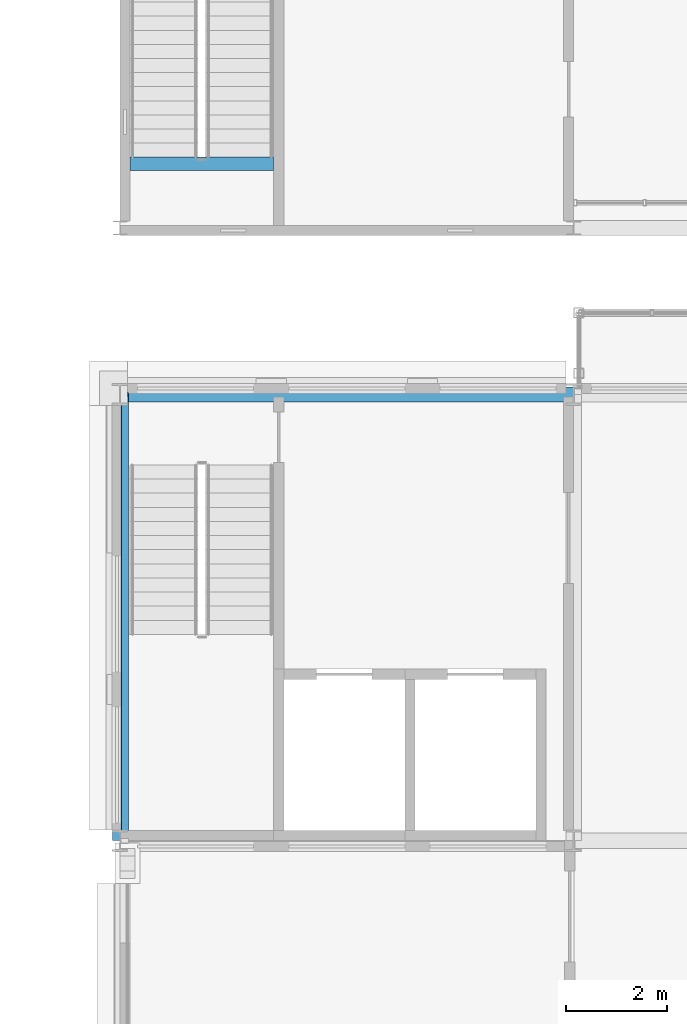
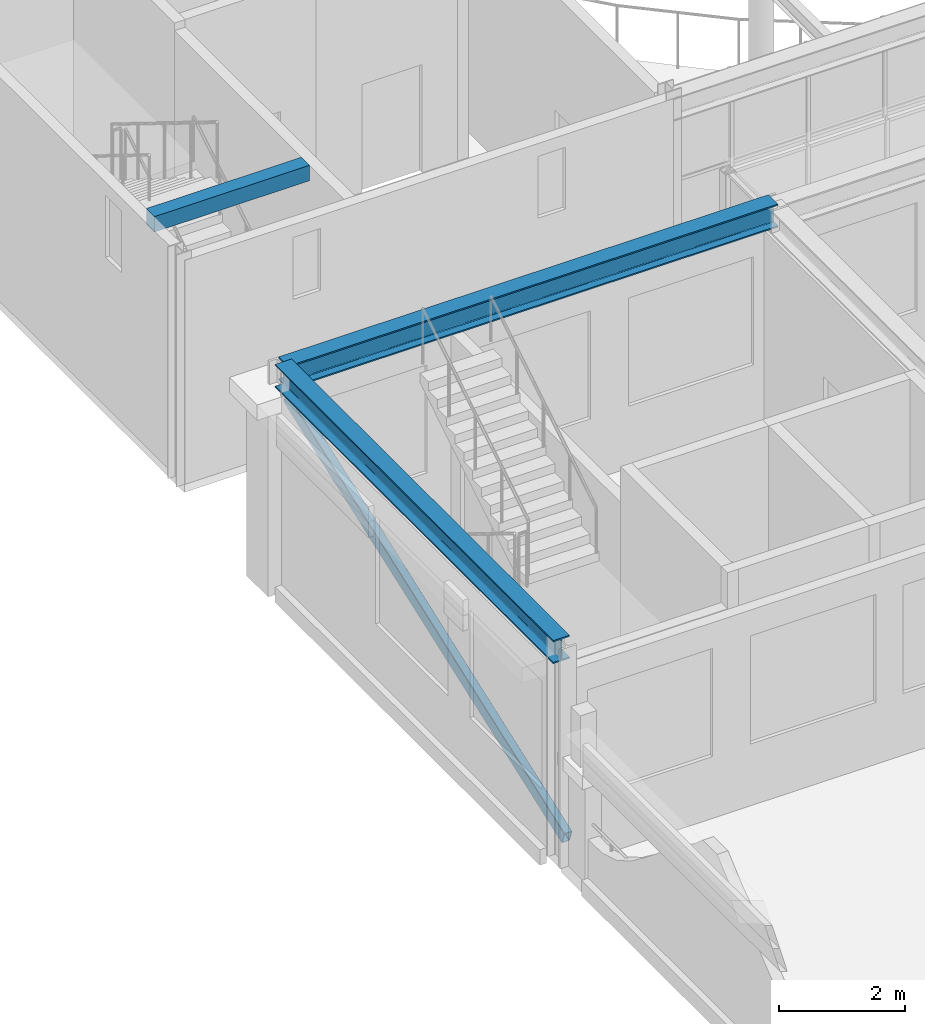
# One storey, part 19 of 70: 3 beams, 1 member.
"""IFC4 building model written with IfcOpenShell, lengths in metres."""

from ifc_helpers import new_model, si_unit, direction, frame, origin, origin_2d, place, context, subcontext, project, spatial, rectangle, hollow_rectangle, i_section, extrude, material, material_profile, profile_set, type_object, element, save


model = new_model("IFC4")

# Units and contexts
model_context = context("Model", 3, precision=1e-05, world=origin(), true_north=direction((0.0, 1.0)))
body_context = subcontext(model_context, "Body", "Model", "MODEL_VIEW")
ifc_project = project(units=[si_unit("LENGTHUNIT", "METRE"), si_unit("AREAUNIT", "SQUARE_METRE"), si_unit("VOLUMEUNIT", "CUBIC_METRE"), si_unit("PLANEANGLEUNIT", "RADIAN"), si_unit("MASSUNIT", "GRAM", prefix="KILO")], contexts=[model_context])

# Site, building, storey
site_placement = place(None, origin())
site = spatial("IfcSite", under=ifc_project, at=site_placement, CompositionType="ELEMENT")
building_placement = place(site_placement, origin())
building = spatial("IfcBuilding", under=site, at=building_placement, Name="Kallimachos Central Library", CompositionType="ELEMENT")
storey_placement = place(building_placement, frame((0.0, 0.0, 18.89990234375)))
storey = spatial("IfcBuildingStorey", under=building, at=storey_placement, Name="L04", CompositionType="ELEMENT", Elevation=18.89990234375)

# Beams
ifc_material_1 = material(Name="Steel S355J2", Category="steel")
ifc_material_profile_1 = material_profile(ifc_material_1, i_section(OverallWidth=0.300048828125, OverallDepth=0.449951171875, WebThickness=0.013916015625, FlangeThickness=0.02587890625, FilletRadius=0.027099609375, at=origin_2d()), Name="HEB 450")
ifc_profile_set_1 = profile_set([ifc_material_profile_1], Name="Steel S355J2")
beam_type_1 = type_object("IfcBeamType", Name="HEB 450 beam", PredefinedType="BEAM", material=ifc_profile_set_1)
beam_1_placement = place(storey_placement, frame((65.5, 83.85009765625, 4.0751953125), z_axis=(1.0, 0.0, 0.0), x_axis=(0.0, 1.0, 0.0)))
element("IfcBeam", 1, at=beam_1_placement, inside=storey, type_object=beam_type_1, Name="V4-BEM-L04-004", PredefinedType="BEAM", context=body_context, shape_type="SweptSolid", body=[
    extrude(i_section(OverallWidth=0.300048828125, OverallDepth=0.449951171875, WebThickness=0.013916015625, FlangeThickness=0.02587890625, FilletRadius=0.027099609375, at=origin_2d()), origin(), (0.0, 0.0, 1.0), 9.0),
])
beam_2_placement = place(storey_placement, frame((65.5, 75.0, 4.0751953125), z_axis=(0.0, 1.0, 0.0), x_axis=(-1.0, 0.0, 0.0)))
element("IfcBeam", 2, at=beam_2_placement, inside=storey, type_object=beam_type_1, Name="V4-BEM-L04-009", PredefinedType="BEAM", context=body_context, shape_type="SweptSolid", body=[
    extrude(i_section(OverallWidth=0.300048828125, OverallDepth=0.449951171875, WebThickness=0.013916015625, FlangeThickness=0.02587890625, FilletRadius=0.027099609375, at=origin_2d()), origin(), (0.0, 0.0, 1.0), 8.85009765625),
])
ifc_material_2 = material(Name="Concrete C30/37", Category="concrete")
ifc_material_profile_2 = material_profile(ifc_material_2, rectangle(XDim=0.260009765625, YDim=0.300048828125, at=origin_2d()), Name="RC stair trimmer beam 260 x 300")
ifc_profile_set_2 = profile_set([ifc_material_profile_2], Name="Concrete C30/37")
beam_type_2 = type_object("IfcBeamType", Name="RC stair trimmer beam 260 x 300", PredefinedType="BEAM", material=ifc_profile_set_2)
beam_3_placement = place(storey_placement, frame((68.550048828125, 88.424072265625, 4.2001953125), z_axis=(-1.0, 0.0, 0.0), x_axis=(0.0, -1.0, 0.0)))
element("IfcBeam", 3, at=beam_3_placement, inside=storey, type_object=beam_type_2, Name="Stair trimmer beam ST1 L04", PredefinedType="BEAM", context=body_context, shape_type="SweptSolid", body=[
    extrude(rectangle(XDim=0.260009765625, YDim=0.300048828125, at=origin_2d()), origin(), (0.0, 0.0, 1.0), 2.85009765625),
])

# Member
ifc_material_3 = material(Name="Steel S355J2H", Category="steel")
ifc_material_profile_3 = material_profile(ifc_material_3, hollow_rectangle(XDim=0.14990234375, YDim=0.25, WallThickness=0.010009765625, InnerFilletRadius=0.010009765625, OuterFilletRadius=0.014892578125, at=origin_2d()), Name="RHS 250x150x10")
ifc_profile_set_3 = profile_set([ifc_material_profile_3], Name="Steel S355J2H")
member_type = type_object("IfcMemberType", Name="RHS 250x150x10 brace", PredefinedType="BRACE", material=ifc_profile_set_3)
member_placement = place(storey_placement, frame((65.60009765625, 75.0, 0.400146484375), z_axis=(0.0, 0.94041523715, 0.340028207264), x_axis=(-1.0, 0.0, 0.0)))
element("IfcMember", 4, at=member_placement, inside=storey, type_object=member_type, Name="V4-MEM-L04-001", PredefinedType="BRACE", context=body_context, shape_type="SweptSolid", body=[
    extrude(hollow_rectangle(XDim=0.14990234375, YDim=0.25, WallThickness=0.010009765625, InnerFilletRadius=0.010009765625, OuterFilletRadius=0.014892578125, at=origin_2d()), origin(), (0.0, 0.0, 1.0), 9.410888671875),
])

save(model, "model.ifc")
